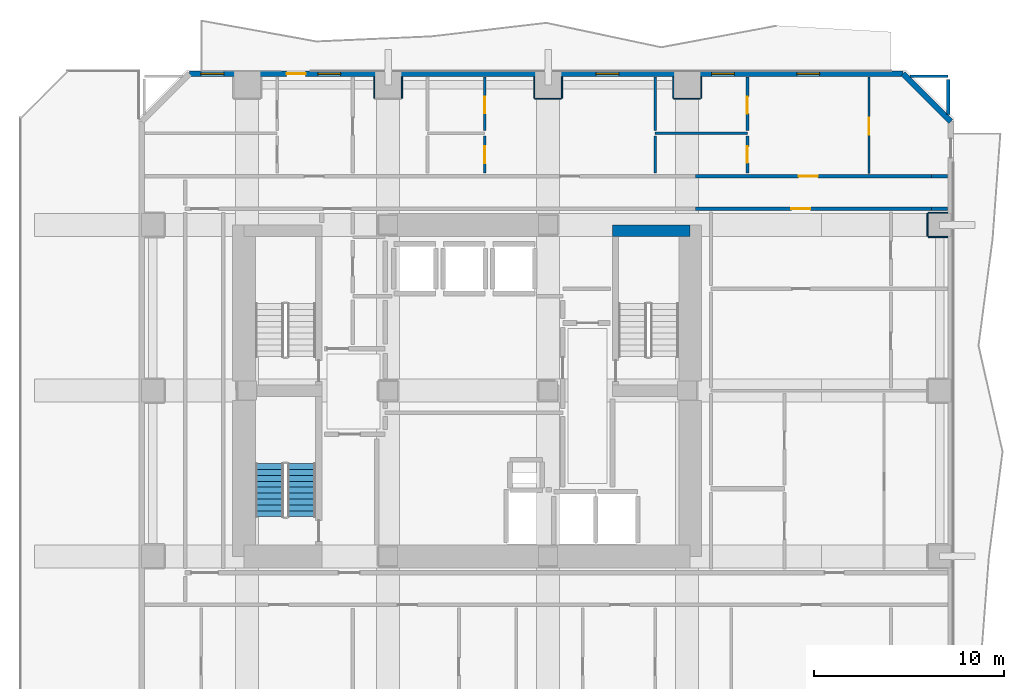
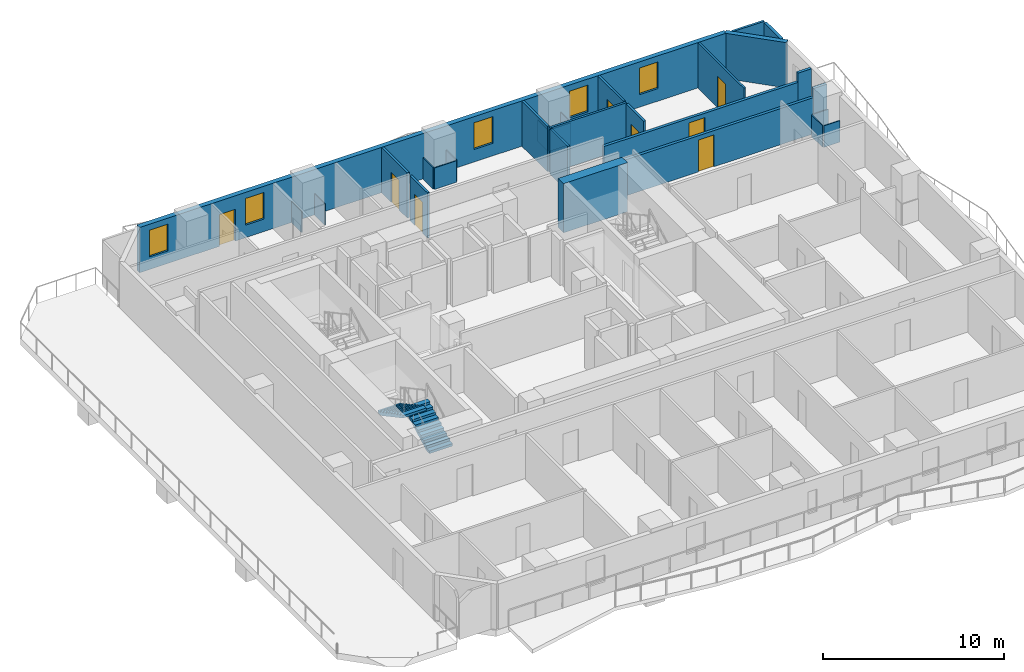
# One storey, part 6 of 10: 28 walls, 8 doors, 5 windows, 2 stair flights, 13 openings, 1 element without a shape of its own.
"""IFC4 building model written with IfcOpenShell, lengths in metres."""

import ifcopenshell
import ifcopenshell.guid

model = None  # the IFC model being written
_history = None  # IfcOwnerHistory: only IFC2X3 demands one
_inside = {}  # id of a spatial element -> (the spatial element, [elements in it])
_under = {}  # id of a project, library or spatial element -> (it, [spatial elements below it])
_declared = {}  # id of a project -> (the project, [libraries it declares])
_typed = {}  # id of a type object -> (the type object, [elements of that type])
_made_of = {}  # id of a material, layer set ... -> (it, [elements and type objects made of it])


def new_model(schema):
    """Start an empty IFC model of exactly this schema.

    Asked for "IFC4X3", IfcOpenShell would pick the latest addendum, in which some entities
    have other attributes; the version numbers below select the first issue.
    IFC2X3 requires an IfcOwnerHistory on every rooted entity: one is made here for all.
    """
    global model, _history
    if schema == "IFC4X3":
        model = ifcopenshell.file(schema_version=(4, 3, 0, 0))
    else:
        model = ifcopenshell.file(schema=schema)
    _inside.clear()
    _under.clear()
    _declared.clear()
    _typed.clear()
    _made_of.clear()
    _history = None
    if model.schema == "IFC2X3":
        org = make("IfcOrganization", Name="unknown")
        user = make(
            "IfcPersonAndOrganization",
            ThePerson=make("IfcPerson", FamilyName="unknown"),
            TheOrganization=org,
        )
        app = make(
            "IfcApplication",
            ApplicationDeveloper=org,
            Version="unknown",
            ApplicationFullName="unknown",
            ApplicationIdentifier="unknown",
        )
        _history = make(
            "IfcOwnerHistory",
            OwningUser=user,
            OwningApplication=app,
            ChangeAction="ADDED",
            CreationDate=0,
        )
    return model


def make(cls, **values):
    """One entity of the class cls with the attributes given. An attribute that is None is left unset."""
    return model.create_entity(
        cls, **{name: value for name, value in values.items() if value is not None}
    )


def rooted(cls, **values):
    """An entity with a GlobalId (a new one), such as an element, a storey or a relation."""
    return make(cls, GlobalId=ifcopenshell.guid.new(), OwnerHistory=_history, **values)


def si_unit(unit_type, name, prefix=None):
    """IfcSIUnit, for example si_unit("LENGTHUNIT", "METRE", prefix="MILLI")."""
    return make("IfcSIUnit", UnitType=unit_type, Prefix=prefix, Name=name)


def assignment(units):
    """IfcUnitAssignment: the units of a project."""
    return None if units is None else make("IfcUnitAssignment", Units=units)


def point(xyz):
    """IfcCartesianPoint."""
    return None if xyz is None else make("IfcCartesianPoint", Coordinates=xyz)


def direction(xyz):
    """IfcDirection."""
    return None if xyz is None else make("IfcDirection", DirectionRatios=xyz)


def frame(location, z_axis=None, x_axis=None):
    """IfcAxis2Placement3D, a coordinate frame: its origin and axes. An axis left out is left unset."""
    return make(
        "IfcAxis2Placement3D",
        Location=point(location),
        Axis=direction(z_axis),
        RefDirection=direction(x_axis),
    )


def frame_2d(location, x_axis=None):
    """IfcAxis2Placement2D, a coordinate frame in the plane: its origin and x axis."""
    return make(
        "IfcAxis2Placement2D", Location=point(location), RefDirection=direction(x_axis)
    )


def origin():
    """The frame at (0, 0, 0) with its axes left unset."""
    return frame((0.0, 0.0, 0.0))


def place(relative_to, where):
    """IfcLocalPlacement: puts the frame where relative to a parent placement (None: the world)."""
    return make(
        "IfcLocalPlacement", PlacementRelTo=relative_to, RelativePlacement=where
    )


def context(
    kind, dimensions, precision=None, world=None, true_north=None, identifier=None
):
    """IfcGeometricRepresentationContext, for example the 3D "Model" context."""
    return make(
        "IfcGeometricRepresentationContext",
        ContextIdentifier=identifier,
        ContextType=kind,
        CoordinateSpaceDimension=dimensions,
        Precision=precision,
        WorldCoordinateSystem=world,
        TrueNorth=true_north,
    )


def subcontext(parent, identifier, kind, view, scale=None):
    """IfcGeometricRepresentationSubContext, for example "Body" below "Model"."""
    return make(
        "IfcGeometricRepresentationSubContext",
        ContextIdentifier=identifier,
        ContextType=kind,
        ParentContext=parent,
        TargetScale=scale,
        TargetView=view,
    )


def project(units=None, contexts=None):
    """IfcProject with its units and contexts."""
    return rooted(
        "IfcProject",
        Name="project",
        RepresentationContexts=contexts,
        UnitsInContext=assignment(units),
    )


def spatial(cls, under=None, at=None, **own):
    """A site, building, storey or space (cls), placed at a placement, below another one or the project."""
    s = rooted(cls, ObjectPlacement=at, **own)
    if under is not None:
        _under.setdefault(under.id(), (under, []))[1].append(s)
    return s


def polyline(points):
    """IfcPolyline through the points."""
    return make("IfcPolyline", Points=[point(p) for p in points])


def profile(cls, at=None, kind="AREA", **sizes):
    """A parametric profile (cls). Its sizes go by their IFC names, for example OverallWidth=200.0."""
    return make(cls, ProfileType=kind, Position=at, **sizes)


def rectangle(**sizes):
    """IfcRectangleProfileDef."""
    return profile("IfcRectangleProfileDef", **sizes)


def outline(outer, holes=None, kind="AREA"):
    """IfcArbitraryClosedProfileDef: a profile drawn as a closed curve; with holes, ...WithVoids."""
    if holes is None:
        return make("IfcArbitraryClosedProfileDef", ProfileType=kind, OuterCurve=outer)
    return make(
        "IfcArbitraryProfileDefWithVoids",
        ProfileType=kind,
        OuterCurve=outer,
        InnerCurves=holes,
    )


def extrude(swept, where, along, depth):
    """IfcExtrudedAreaSolid: the profile swept, set in the frame where, extruded along a direction by depth."""
    return make(
        "IfcExtrudedAreaSolid",
        SweptArea=swept,
        Position=where,
        ExtrudedDirection=direction(along),
        Depth=depth,
    )


def shape(context_of_items, identifier, shape_type, items):
    """IfcShapeRepresentation: the items that make up one representation, for example the "Body"."""
    return make(
        "IfcShapeRepresentation",
        ContextOfItems=context_of_items,
        RepresentationIdentifier=identifier,
        RepresentationType=shape_type,
        Items=items,
    )


def material(Name=None, Category=None):
    """IfcMaterial."""
    return make("IfcMaterial", Name=Name, Category=Category)


def layer(
    of_material, thickness, ventilated=None, Name=None, Category=None, Priority=None
):
    """IfcMaterialLayer: one layer of a wall or slab, of a material (None: an air gap)."""
    return make(
        "IfcMaterialLayer",
        Material=of_material,
        LayerThickness=thickness,
        IsVentilated=ventilated,
        Name=Name,
        Category=Category,
        Priority=Priority,
    )


def layer_set(layers, Name=None):
    """IfcMaterialLayerSet."""
    return make("IfcMaterialLayerSet", MaterialLayers=layers, LayerSetName=Name)


def made_of(thing, what):
    """Note that an element or type object is made of a material, layer set ...; save() writes the relation."""
    if what is not None:
        _made_of.setdefault(what.id(), (what, []))[1].append(thing)
    return thing


def type_object(cls, material=None, **own):
    """A type object (cls), such as IfcWallType, which elements share."""
    return made_of(rooted(cls, **own), material)


def element(
    cls,
    number,
    at=None,
    inside=None,
    cuts=None,
    type_object=None,
    material=None,
    context=None,
    identifier="Body",
    shape_type=None,
    held_by="IfcProductDefinitionShape",
    body=None,
    shapes=None,
    **own,
):
    """One element of the class cls, such as IfcWall. Its Tag is "e" and its number.

    at: its placement. inside: the storey or other place that contains it. cuts: it is an
    opening in that element (IfcRelVoidsElement). A single representation is given by context,
    identifier, shape_type and body (its items); several are given by shapes. held_by: the class
    of the entity that holds the representations. save() writes the other relations.
    """
    e = rooted(cls, Tag="e%d" % number, ObjectPlacement=at, **own)
    if body is not None:
        shapes = [shape(context, identifier, shape_type, body)]
    if shapes is not None:
        e.Representation = make(held_by, Representations=shapes)
    if inside is not None:
        _inside.setdefault(inside.id(), (inside, []))[1].append(e)
    if cuts is not None:
        rooted(
            "IfcRelVoidsElement", RelatingBuildingElement=cuts, RelatedOpeningElement=e
        )
    if type_object is not None:
        _typed.setdefault(type_object.id(), (type_object, []))[1].append(e)
    return made_of(e, material)


def fill(opening, filler):
    """IfcRelFillsElement: the door or window that sits in an opening."""
    return rooted(
        "IfcRelFillsElement",
        RelatingOpeningElement=opening,
        RelatedBuildingElement=filler,
    )


def aggregate(whole, parts):
    """IfcRelAggregates: a whole, such as a stair, and the parts it consists of."""
    return rooted("IfcRelAggregates", RelatingObject=whole, RelatedObjects=parts)


def save(model, path):
    """Write the relations noted so far, then the file.

    IfcRelAggregates (storeys below a building ...), IfcRelContainedInSpatialStructure (elements
    in a storey), IfcRelDefinesByType, IfcRelAssociatesMaterial and IfcRelDeclares: one each for
    every whole, place, type object, material and project.
    """
    for whole, parts in _under.values():
        aggregate(whole, parts)
    for where, things in _inside.values():
        rooted(
            "IfcRelContainedInSpatialStructure",
            RelatedElements=things,
            RelatingStructure=where,
        )
    for kind, things in _typed.values():
        rooted("IfcRelDefinesByType", RelatedObjects=things, RelatingType=kind)
    for what, things in _made_of.values():
        rooted("IfcRelAssociatesMaterial", RelatedObjects=things, RelatingMaterial=what)
    for by, libraries in _declared.values():
        rooted("IfcRelDeclares", RelatingContext=by, RelatedDefinitions=libraries)
    model.write(path)


model = new_model("IFC4")

# Units and contexts
model_context = context("Model", 3, precision=1e-05, world=origin(), true_north=direction((0.0, 1.0)))
body_context = subcontext(model_context, "Body", "Model", "MODEL_VIEW")
ifc_project = project(units=[si_unit("LENGTHUNIT", "METRE"), si_unit("AREAUNIT", "SQUARE_METRE"), si_unit("VOLUMEUNIT", "CUBIC_METRE"), si_unit("PLANEANGLEUNIT", "RADIAN"), si_unit("MASSUNIT", "GRAM", prefix="KILO")], contexts=[model_context])

# Site, building, storey
site_placement = place(None, origin())
site = spatial("IfcSite", under=ifc_project, at=site_placement, CompositionType="ELEMENT")
building_placement = place(site_placement, origin())
building = spatial("IfcBuilding", under=site, at=building_placement, Name="Solanera Arch Residences", CompositionType="ELEMENT")
storey_placement = place(building_placement, frame((0.0, 0.0, 41.919921875)))
storey = spatial("IfcBuildingStorey", under=building, at=storey_placement, Name="L11", CompositionType="ELEMENT", Elevation=41.919921875)

# Walls
ifc_material_1 = material(Name="Fire-Rated Gypsum Stud Partition", Category="gypsum")
ifc_layer_1 = layer(ifc_material_1, 0.06005859375)
ifc_layer_set_1 = layer_set([ifc_layer_1], Name="Fire-Rated Gypsum Stud Partition")
wall_type_1 = type_object("IfcWallType", Name="Column Acoustic Furring Wall 60", PredefinedType="PARTITIONING", material=ifc_layer_set_1)
for number, where, z_axis, x_axis, name in (
    (1, (20.068115234375, 46.050048828125, 0.0), (0.0, 0.0, 1.0), (0.0, 1.0, 0.0), "L11 Column Furring 12W"),
    (2, (21.531982421875, 46.050048828125, 0.0), (0.0, 0.0, 1.0), (0.0, 1.0, 0.0), "L11 Column Furring 12E"),
):
    element("IfcWall", number, at=place(storey_placement, frame(where, z_axis=z_axis, x_axis=x_axis)), inside=storey, type_object=wall_type_1, Name=name, PredefinedType="PARTITIONING", context=body_context, shape_type="SweptSolid", body=[
        extrude(rectangle(XDim=1.119873046875, YDim=0.06005859375, at=frame_2d((0.56005859375, 0.0))), origin(), (0.0, 0.0, 1.0), 1.4501953125),
    ])
wall_1_placement = place(storey_placement, frame((28.5, 46.01806640625, 0.0), z_axis=(0.0, 0.0, 1.0), x_axis=(1.0, 0.0, 0.0)))
element("IfcWall", 3, at=wall_1_placement, inside=storey, type_object=wall_type_1, Name="L11 Column Furring 14S", PredefinedType="PARTITIONING", context=body_context, shape_type="SweptSolid", body=[
    extrude(rectangle(XDim=1.39990234375, YDim=0.06005859375, at=frame_2d((0.699951171875, 0.0))), origin(), (0.0, 0.0, 1.0), 1.4501953125),
])
for number, where, z_axis, x_axis, name in (
    (4, (28.468017578125, 46.050048828125, 0.0), (0.0, 0.0, 1.0), (0.0, 1.0, 0.0), "L11 Column Furring 14W"),
    (5, (29.931884765625, 46.050048828125, 0.0), (0.0, 0.0, 1.0), (0.0, 1.0, 0.0), "L11 Column Furring 14E"),
):
    element("IfcWall", number, at=place(storey_placement, frame(where, z_axis=z_axis, x_axis=x_axis)), inside=storey, type_object=wall_type_1, Name=name, PredefinedType="PARTITIONING", context=body_context, shape_type="SweptSolid", body=[
        extrude(rectangle(XDim=1.119873046875, YDim=0.06005859375, at=frame_2d((0.56005859375, 0.0))), origin(), (0.0, 0.0, 1.0), 1.4501953125),
    ])
wall_2_placement = place(storey_placement, frame((35.800048828125, 46.01806640625, 0.0), z_axis=(0.0, 0.0, 1.0), x_axis=(1.0, 0.0, 0.0)))
element("IfcWall", 6, at=wall_2_placement, inside=storey, type_object=wall_type_1, Name="L11 Column Furring 16S", PredefinedType="PARTITIONING", context=body_context, shape_type="SweptSolid", body=[
    extrude(rectangle(XDim=1.39990234375, YDim=0.06005859375, at=frame_2d((0.699951171875, 0.0))), origin(), (0.0, 0.0, 1.0), 1.4501953125),
])
for number, where, z_axis, x_axis, name in (
    (7, (35.76806640625, 46.050048828125, 0.0), (0.0, 0.0, 1.0), (0.0, 1.0, 0.0), "L11 Column Furring 16W"),
    (8, (37.23193359375, 46.050048828125, 0.0), (0.0, 0.0, 1.0), (0.0, 1.0, 0.0), "L11 Column Furring 16E"),
):
    element("IfcWall", number, at=place(storey_placement, frame(where, z_axis=z_axis, x_axis=x_axis)), inside=storey, type_object=wall_type_1, Name=name, PredefinedType="PARTITIONING", context=body_context, shape_type="SweptSolid", body=[
        extrude(rectangle(XDim=1.119873046875, YDim=0.06005859375, at=frame_2d((0.56005859375, 0.0))), origin(), (0.0, 0.0, 1.0), 1.4501953125),
    ])
for number, where, z_axis, x_axis, name in (
    (9, (49.14990234375, 38.76806640625, 0.0), (0.0, 0.0, 1.0), (1.0, 0.0, 0.0), "L11 Column Furring 22S"),
    (10, (49.14990234375, 40.031982421875, 0.0), (0.0, 0.0, 1.0), (1.0, 0.0, 0.0), "L11 Column Furring 22N"),
):
    element("IfcWall", number, at=place(storey_placement, frame(where, z_axis=z_axis, x_axis=x_axis)), inside=storey, type_object=wall_type_1, Name=name, PredefinedType="PARTITIONING", context=body_context, shape_type="SweptSolid", body=[
        extrude(rectangle(XDim=1.02001953125, YDim=0.06005859375, at=frame_2d((0.510009765625, 0.0))), origin(), (0.0, 0.0, 1.0), 1.4501953125),
    ])
wall_3_placement = place(storey_placement, frame((49.117919921875, 38.800048828125, 0.0), z_axis=(0.0, 0.0, 1.0), x_axis=(0.0, 1.0, 0.0)))
element("IfcWall", 11, at=wall_3_placement, inside=storey, type_object=wall_type_1, Name="L11 Column Furring 22W", PredefinedType="PARTITIONING", context=body_context, shape_type="SweptSolid", body=[
    extrude(rectangle(XDim=1.199951171875, YDim=0.06005859375, at=frame_2d((0.60009765625, 0.0))), origin(), (0.0, 0.0, 1.0), 1.4501953125),
])
ifc_material_2 = material(Name="Concrete C40/50 (f'c = 45 MPa)", Category="concrete")
ifc_layer_2 = layer(ifc_material_2, 0.60009765625)
ifc_layer_set_2 = layer_set([ifc_layer_2], Name="Concrete C40/50 (f'c = 45 MPa)")
wall_type_2 = type_object("IfcWallType", Name="Core Shear Wall CW-600", PredefinedType="SHEAR", material=ifc_layer_set_2)
wall_4_placement = place(storey_placement, frame((32.580078125, 39.10009765625, 0.0), z_axis=(0.0, 0.0, 1.0), x_axis=(1.0, 0.0, 0.0)))
element("IfcWall", 12, at=wall_4_placement, inside=storey, type_object=wall_type_2, Name="L11 North-East Core Shear Wall", PredefinedType="SHEAR", context=body_context, shape_type="SweptSolid", body=[
    extrude(rectangle(XDim=4.079833984375, YDim=0.60009765625, at=frame_2d((2.0400390625, 0.0))), origin(), (0.0, 0.0, 1.0), 3.320068359375),
])

# Wall, opening, door
ifc_material_3 = material(Name="Autoclaved Aerated Concrete Blockwork", Category="masonry")
ifc_layer_3 = layer(ifc_material_3, 0.179931640625)
ifc_layer_set_3 = layer_set([ifc_layer_3], Name="Autoclaved Aerated Concrete Blockwork")
wall_type_3 = type_object("IfcWallType", Name="Corridor Fire Partition 180", PredefinedType="PARTITIONING", material=ifc_layer_set_3)
wall_5_placement = place(storey_placement, frame((36.931884765625, 40.25, 0.0), z_axis=(0.0, 0.0, 1.0), x_axis=(1.0, 0.0, 0.0)))
wall_5 = element("IfcWall", 13, at=wall_5_placement, inside=storey, type_object=wall_type_3, Name="L11 Interior Partition H12 2", PredefinedType="PARTITIONING", context=body_context, shape_type="SweptSolid", body=[
    extrude(rectangle(XDim=12.38623046875, YDim=0.179931640625, at=frame_2d((6.193115234375, 0.0))), origin(), (0.0, 0.0, 1.0), 2.445068359375),
])
opening_1_placement = place(wall_5_placement, frame((5.04296875, 0.0, 0.0)))
opening_1 = element("IfcOpeningElement", 14, at=opening_1_placement, cuts=wall_5, Name="Opening DI-01", PredefinedType="OPENING", context=body_context, shape_type="SweptSolid", body=[
    extrude(rectangle(XDim=1.0, YDim=2.14990234375, at=frame_2d((0.5, 1.074951171875))), frame((0.0, 0.10009765625, 0.0), z_axis=(0.0, -1.0, 0.0), x_axis=(1.0, 0.0, 0.0)), (0.0, 0.0, 1.0), 0.1999),
])
ifc_material_4 = material(Name="Fire-Rated Architectural Hardwood", Category="wood")
door_type_1 = type_object("IfcDoorType", Name="Unit Entrance Fire Door DI-01", OperationType="NOTDEFINED", PredefinedType="DOOR", material=ifc_material_4)
door_1_placement = place(opening_1_placement, origin())
door_1 = element("IfcDoor", 15, at=door_1_placement, inside=storey, type_object=door_type_1, Name="DR-L11-IN-044", OperationType="SINGLE_SWING_RIGHT", OverallHeight=2.14990234375, OverallWidth=1.0, PredefinedType="DOOR", context=body_context, shape_type="SweptSolid", body=[
    extrude(rectangle(XDim=1.0, YDim=2.14990234375, at=frame_2d((0.5, 1.074951171875))), frame((0.0, 0.02490234375, 0.0), z_axis=(0.0, -1.0, 0.0), x_axis=(1.0, 0.0, 0.0)), (0.0, 0.0, 1.0), 0.050048828125),
])
fill(opening_1, door_1)

# Wall
wall_6_placement = place(storey_placement, frame((49.318115234375, 40.25, 0.0), z_axis=(0.0, 0.0, 1.0), x_axis=(1.0, 0.0, 0.0)))
element("IfcWall", 16, at=wall_6_placement, inside=storey, type_object=wall_type_3, Name="L11 Interior Partition H12 3", PredefinedType="PARTITIONING", context=body_context, shape_type="SweptSolid", body=[
    extrude(rectangle(XDim=0.85498046875, YDim=0.179931640625, at=frame_2d((0.427490234375, 0.0))), origin(), (0.0, 0.0, 1.0), 3.06005859375),
])

# Wall, opening, door
wall_7_placement = place(storey_placement, frame((36.931884765625, 41.949951171875, 0.0), z_axis=(0.0, 0.0, 1.0), x_axis=(1.0, 0.0, 0.0)))
wall_7 = element("IfcWall", 17, at=wall_7_placement, inside=storey, type_object=wall_type_3, Name="L11 Interior Partition H13 2", PredefinedType="PARTITIONING", context=body_context, shape_type="SweptSolid", body=[
    extrude(rectangle(XDim=12.38623046875, YDim=0.179931640625, at=frame_2d((6.193115234375, 0.0))), origin(), (0.0, 0.0, 1.0), 2.445068359375),
])
opening_2_placement = place(wall_7_placement, frame((5.425048828125, 0.0, 0.0)))
opening_2 = element("IfcOpeningElement", 18, at=opening_2_placement, cuts=wall_7, Name="Opening DI-01", PredefinedType="OPENING", context=body_context, shape_type="SweptSolid", body=[
    extrude(rectangle(XDim=1.0, YDim=2.14990234375, at=frame_2d((0.5, 1.074951171875))), frame((0.0, 0.10009765625, 0.0), z_axis=(0.0, -1.0, 0.0), x_axis=(1.0, 0.0, 0.0)), (0.0, 0.0, 1.0), 0.1999),
])
door_2_placement = place(opening_2_placement, origin())
door_2 = element("IfcDoor", 19, at=door_2_placement, inside=storey, type_object=door_type_1, Name="DR-L11-IN-036", OperationType="SINGLE_SWING_RIGHT", OverallHeight=2.14990234375, OverallWidth=1.0, PredefinedType="DOOR", context=body_context, shape_type="SweptSolid", body=[
    extrude(rectangle(XDim=1.0, YDim=2.14990234375, at=frame_2d((0.5, 1.074951171875))), frame((0.0, 0.02490234375, 0.0), z_axis=(0.0, -1.0, 0.0), x_axis=(1.0, 0.0, 0.0)), (0.0, 0.0, 1.0), 0.050048828125),
])
fill(opening_2, door_2)

# Walls
wall_8_placement = place(storey_placement, frame((49.318115234375, 41.949951171875, 0.0), z_axis=(0.0, 0.0, 1.0), x_axis=(1.0, 0.0, 0.0)))
element("IfcWall", 20, at=wall_8_placement, inside=storey, type_object=wall_type_3, Name="L11 Interior Partition H13 3", PredefinedType="PARTITIONING", context=body_context, shape_type="SweptSolid", body=[
    extrude(rectangle(XDim=0.85498046875, YDim=0.179931640625, at=frame_2d((0.427490234375, 0.0))), origin(), (0.0, 0.0, 1.0), 3.06005859375),
])
wall_9_placement = place(storey_placement, frame((50.199951171875, 45.198974609375, 0.0), z_axis=(0.0, 0.0, 1.0), x_axis=(0.0, 1.0, 0.0)))
element("IfcWall", 21, at=wall_9_placement, inside=storey, type_object=wall_type_3, Name="L11 Interior Partition V11 2", PredefinedType="PARTITIONING", context=body_context, shape_type="SweptSolid", body=[
    extrude(rectangle(XDim=1.8330078125, YDim=0.179931640625, at=frame_2d((0.91650390625, 0.0))), origin(), (0.0, 0.0, 1.0), 3.06005859375),
])

# Wall, openings, door, windows
ifc_material_5 = material(Name="Precast Concrete C35/45", Category="concrete")
ifc_layer_4 = layer(ifc_material_5, 0.300048828125)
ifc_layer_set_4 = layer_set([ifc_layer_4], Name="Precast Concrete C35/45")
wall_type_4 = type_object("IfcWallType", Name="Exterior Wall Precast Masonry-Frame 300", PredefinedType="STANDARD", material=ifc_layer_set_4)
wall_10_placement = place(storey_placement, frame((10.364990234375, 47.3349609375, 0.0), z_axis=(0.0, 0.0, 1.0), x_axis=(1.0, 0.0, 0.0)))
wall_10 = element("IfcWall", 22, at=wall_10_placement, inside=storey, type_object=wall_type_4, Name="L11 Tower Exterior Precast Masonry-Frame Wall N", PredefinedType="STANDARD", context=body_context, shape_type="SweptSolid", body=[
    extrude(rectangle(XDim=37.469970703125, YDim=0.300048828125, at=frame_2d((18.73486328125, 0.0))), origin(), (0.0, 0.0, 1.0), 3.06005859375),
])
opening_3_placement = place(wall_10_placement, frame((5.10302734375, 0.0, 0.0)))
opening_3 = element("IfcOpeningElement", 23, at=opening_3_placement, cuts=wall_10, Name="Opening DB-01", PredefinedType="OPENING", context=body_context, shape_type="SweptSolid", body=[
    extrude(rectangle(XDim=1.0, YDim=2.14990234375, at=frame_2d((0.5, 1.074951171875))), frame((0.0, 0.159912109375, 0.0), z_axis=(0.0, -1.0, 0.0), x_axis=(1.0, 0.0, 0.0)), (0.0, 0.0, 1.0), 0.32),
])
opening_4_placement = place(wall_10_placement, frame((6.7470703125, 0.0, 0.85009765625)))
opening_4 = element("IfcOpeningElement", 24, at=opening_4_placement, cuts=wall_10, Name="Opening W-01", PredefinedType="OPENING", context=body_context, shape_type="SweptSolid", body=[
    extrude(rectangle(XDim=1.199951171875, YDim=1.800048828125, at=frame_2d((0.60009765625, 0.89990234375))), frame((0.0, 0.159912109375, 0.0), z_axis=(0.0, -1.0, 0.0), x_axis=(1.0, 0.0, 0.0)), (0.0, 0.0, 1.0), 0.32),
])
opening_5_placement = place(wall_10_placement, frame((0.612060546875, 0.0, 0.85009765625)))
opening_5 = element("IfcOpeningElement", 25, at=opening_5_placement, cuts=wall_10, Name="Opening W-01", PredefinedType="OPENING", context=body_context, shape_type="SweptSolid", body=[
    extrude(rectangle(XDim=1.199951171875, YDim=1.800048828125, at=frame_2d((0.60009765625, 0.89990234375))), frame((0.0, 0.159912109375, 0.0), z_axis=(0.0, -1.0, 0.0), x_axis=(1.0, 0.0, 0.0)), (0.0, 0.0, 1.0), 0.32),
])
opening_6_placement = place(wall_10_placement, frame((21.344970703125, 0.0, 0.85009765625)))
opening_6 = element("IfcOpeningElement", 26, at=opening_6_placement, cuts=wall_10, Name="Opening W-01", PredefinedType="OPENING", context=body_context, shape_type="SweptSolid", body=[
    extrude(rectangle(XDim=1.199951171875, YDim=1.800048828125, at=frame_2d((0.60009765625, 0.89990234375))), frame((0.0, 0.159912109375, 0.0), z_axis=(0.0, -1.0, 0.0), x_axis=(1.0, 0.0, 0.0)), (0.0, 0.0, 1.0), 0.32),
])
opening_7_placement = place(wall_10_placement, frame((31.89208984375, 0.0, 0.85009765625)))
opening_7 = element("IfcOpeningElement", 27, at=opening_7_placement, cuts=wall_10, Name="Opening W-01", PredefinedType="OPENING", context=body_context, shape_type="SweptSolid", body=[
    extrude(rectangle(XDim=1.199951171875, YDim=1.800048828125, at=frame_2d((0.60009765625, 0.89990234375))), frame((0.0, 0.159912109375, 0.0), z_axis=(0.0, -1.0, 0.0), x_axis=(1.0, 0.0, 0.0)), (0.0, 0.0, 1.0), 0.32),
])
opening_8_placement = place(wall_10_placement, frame((27.41796875, 0.0, 0.85009765625)))
opening_8 = element("IfcOpeningElement", 28, at=opening_8_placement, cuts=wall_10, Name="Opening W-01", PredefinedType="OPENING", context=body_context, shape_type="SweptSolid", body=[
    extrude(rectangle(XDim=1.199951171875, YDim=1.800048828125, at=frame_2d((0.60009765625, 0.89990234375))), frame((0.0, 0.159912109375, 0.0), z_axis=(0.0, -1.0, 0.0), x_axis=(1.0, 0.0, 0.0)), (0.0, 0.0, 1.0), 0.32),
])
ifc_material_6 = material(Name="Anodised Aluminium Alloy 6063-T6", Category="aluminium")
door_type_2 = type_object("IfcDoorType", Name="Glazed Balcony Swing Door DB-01", OperationType="NOTDEFINED", PredefinedType="DOOR", material=ifc_material_6)
door_3_placement = place(opening_3_placement, origin())
door_3 = element("IfcDoor", 29, at=door_3_placement, inside=storey, type_object=door_type_2, Name="DR-L11-OUT-03", OperationType="SINGLE_SWING_LEFT", OverallHeight=2.14990234375, OverallWidth=1.0, PredefinedType="DOOR", context=body_context, shape_type="SweptSolid", body=[
    extrude(rectangle(XDim=1.0, YDim=2.14990234375, at=frame_2d((0.5, 1.074951171875))), frame((0.0, 0.02490234375, 0.0), z_axis=(0.0, -1.0, 0.0), x_axis=(1.0, 0.0, 0.0)), (0.0, 0.0, 1.0), 0.050048828125),
])
fill(opening_3, door_3)
ifc_material_7 = material(Name="Double Glazed Low-E Laminated Glass", Category="glass")
window_type = type_object("IfcWindowType", Name="Punched Window W-01", PartitioningType="SINGLE_PANEL", PredefinedType="WINDOW", material=ifc_material_7)
window_1_placement = place(opening_4_placement, origin())
window_1 = element("IfcWindow", 30, at=window_1_placement, inside=storey, type_object=window_type, Name="L11 1105-LIV Punched Window", OverallHeight=1.800048828125, OverallWidth=1.199951171875, PartitioningType="SINGLE_PANEL", PredefinedType="WINDOW", context=body_context, shape_type="SweptSolid", body=[
    extrude(rectangle(XDim=1.199951171875, YDim=1.800048828125, at=frame_2d((0.60009765625, 0.89990234375))), frame((0.0, 0.030029296875, 0.0), z_axis=(0.0, -1.0, 0.0), x_axis=(1.0, 0.0, 0.0)), (0.0, 0.0, 1.0), 0.06005859375),
])
fill(opening_4, window_1)
window_2_placement = place(opening_5_placement, origin())
window_2 = element("IfcWindow", 31, at=window_2_placement, inside=storey, type_object=window_type, Name="L11 1105-BR1 Punched Window", OverallHeight=1.800048828125, OverallWidth=1.199951171875, PartitioningType="SINGLE_PANEL", PredefinedType="WINDOW", context=body_context, shape_type="SweptSolid", body=[
    extrude(rectangle(XDim=1.199951171875, YDim=1.800048828125, at=frame_2d((0.60009765625, 0.89990234375))), frame((0.0, 0.030029296875, 0.0), z_axis=(0.0, -1.0, 0.0), x_axis=(1.0, 0.0, 0.0)), (0.0, 0.0, 1.0), 0.06005859375),
])
fill(opening_5, window_2)
window_3_placement = place(opening_6_placement, origin())
window_3 = element("IfcWindow", 32, at=window_3_placement, inside=storey, type_object=window_type, Name="L11 1106-LIV Punched Window", OverallHeight=1.800048828125, OverallWidth=1.199951171875, PartitioningType="SINGLE_PANEL", PredefinedType="WINDOW", context=body_context, shape_type="SweptSolid", body=[
    extrude(rectangle(XDim=1.199951171875, YDim=1.800048828125, at=frame_2d((0.60009765625, 0.89990234375))), frame((0.0, 0.030029296875, 0.0), z_axis=(0.0, -1.0, 0.0), x_axis=(1.0, 0.0, 0.0)), (0.0, 0.0, 1.0), 0.06005859375),
])
fill(opening_6, window_3)
window_4_placement = place(opening_7_placement, origin())
window_4 = element("IfcWindow", 33, at=window_4_placement, inside=storey, type_object=window_type, Name="L11 1107-LIV Punched Window", OverallHeight=1.800048828125, OverallWidth=1.199951171875, PartitioningType="SINGLE_PANEL", PredefinedType="WINDOW", context=body_context, shape_type="SweptSolid", body=[
    extrude(rectangle(XDim=1.199951171875, YDim=1.800048828125, at=frame_2d((0.60009765625, 0.89990234375))), frame((0.0, 0.030029296875, 0.0), z_axis=(0.0, -1.0, 0.0), x_axis=(1.0, 0.0, 0.0)), (0.0, 0.0, 1.0), 0.06005859375),
])
fill(opening_7, window_4)
window_5_placement = place(opening_8_placement, origin())
window_5 = element("IfcWindow", 34, at=window_5_placement, inside=storey, type_object=window_type, Name="L11 1107-BR1 Punched Window", OverallHeight=1.800048828125, OverallWidth=1.199951171875, PartitioningType="SINGLE_PANEL", PredefinedType="WINDOW", context=body_context, shape_type="SweptSolid", body=[
    extrude(rectangle(XDim=1.199951171875, YDim=1.800048828125, at=frame_2d((0.60009765625, 0.89990234375))), frame((0.0, 0.030029296875, 0.0), z_axis=(0.0, -1.0, 0.0), x_axis=(1.0, 0.0, 0.0)), (0.0, 0.0, 1.0), 0.06005859375),
])
fill(opening_8, window_5)

# Wall
wall_11_placement = place(storey_placement, frame((47.8349609375, 47.3349609375, 0.0), z_axis=(0.0, 0.0, 1.0), x_axis=(0.707106781187, -0.707106781187, 0.0)))
element("IfcWall", 35, at=wall_11_placement, inside=storey, type_object=wall_type_4, Name="L11 Tower Exterior Precast Masonry-Frame Wall CH3", PredefinedType="STANDARD", context=body_context, shape_type="SweptSolid", body=[
    extrude(rectangle(XDim=3.53564453125, YDim=0.300048828125, at=frame_2d((1.767822265625, 0.0))), origin(), (0.0, 0.0, 1.0), 3.06005859375),
])

# Wall, opening, door
ifc_material_8 = material(Name="Fire-Rated Gypsum Stud Partition", Category="gypsum")
ifc_layer_5 = layer(ifc_material_8, 0.1201171875)
ifc_layer_set_5 = layer_set([ifc_layer_5], Name="Fire-Rated Gypsum Stud Partition")
wall_type_5 = type_object("IfcWallType", Name="Unit Drywall Partition 120", PredefinedType="PARTITIONING", material=ifc_layer_set_5)
wall_12_placement = place(storey_placement, frame((46.047119140625, 42.10791015625, 0.0), z_axis=(0.0, 0.0, 1.0), x_axis=(0.0, 1.0, 0.0)))
wall_12 = element("IfcWall", 36, at=wall_12_placement, inside=storey, type_object=wall_type_5, Name="L11 Interior Partition V29", PredefinedType="PARTITIONING", context=body_context, shape_type="SweptSolid", body=[
    extrude(rectangle(XDim=5.065185546875, YDim=0.1201171875, at=frame_2d((2.53271484375, 0.0))), origin(), (0.0, 0.0, 1.0), 3.06005859375),
])
opening_9_placement = place(wall_12_placement, frame((2.01708984375, 0.0, 0.0)))
opening_9 = element("IfcOpeningElement", 37, at=opening_9_placement, cuts=wall_12, Name="Opening DI-02", PredefinedType="OPENING", context=body_context, shape_type="SweptSolid", body=[
    extrude(rectangle(XDim=0.89990234375, YDim=2.10009765625, at=frame_2d((0.449951171875, 1.050048828125))), frame((0.0, 0.070068359375, 0.0), z_axis=(0.0, -1.0, 0.0), x_axis=(1.0, 0.0, 0.0)), (0.0, 0.0, 1.0), 0.1401),
])
ifc_material_9 = material(Name="Fire-Rated Architectural Hardwood", Category="wood")
door_type_3 = type_object("IfcDoorType", Name="Suite Room Swing Door DI-02", OperationType="NOTDEFINED", PredefinedType="DOOR", material=ifc_material_9)
door_4_placement = place(opening_9_placement, origin())
door_4 = element("IfcDoor", 38, at=door_4_placement, inside=storey, type_object=door_type_3, Name="DR-L11-IN-039", OperationType="SINGLE_SWING_LEFT", OverallHeight=2.10009765625, OverallWidth=0.89990234375, PredefinedType="DOOR", context=body_context, shape_type="SweptSolid", body=[
    extrude(rectangle(XDim=0.89990234375, YDim=2.10009765625, at=frame_2d((0.449951171875, 1.050048828125))), frame((0.0, 0.02490234375, 0.0), z_axis=(0.0, -1.0, 0.0), x_axis=(1.0, 0.0, 0.0)), (0.0, 0.0, 1.0), 0.050048828125),
])
fill(opening_9, door_4)

# Walls
ifc_material_10 = material(Name="Autoclaved Aerated Concrete Blockwork", Category="masonry")
ifc_layer_6 = layer(ifc_material_10, 0.139892578125)
ifc_layer_set_6 = layer_set([ifc_layer_6], Name="Autoclaved Aerated Concrete Blockwork")
wall_type_6 = type_object("IfcWallType", Name="Wet-Room Partition 140", PredefinedType="PARTITIONING", material=ifc_layer_set_6)
wall_13_placement = place(storey_placement, frame((34.820068359375, 44.2080078125, 0.0), z_axis=(0.0, 0.0, 1.0), x_axis=(1.0, 0.0, 0.0)))
element("IfcWall", 39, at=wall_13_placement, inside=storey, type_object=wall_type_6, Name="L11 Interior Partition H22", PredefinedType="PARTITIONING", context=body_context, shape_type="SweptSolid", body=[
    extrude(rectangle(XDim=4.845947265625, YDim=0.139892578125, at=frame_2d((2.4228515625, 0.0))), origin(), (0.0, 0.0, 1.0), 3.06005859375),
])
wall_14_placement = place(storey_placement, frame((48.198974609375, 47.199951171875, 0.0), z_axis=(0.0, 0.0, 1.0), x_axis=(1.0, 0.0, 0.0)))
element("IfcWall", 40, at=wall_14_placement, inside=storey, type_object=wall_type_6, Name="L11 Interior Partition H23 2", PredefinedType="PARTITIONING", context=body_context, shape_type="SweptSolid", body=[
    extrude(rectangle(XDim=2.0009765625, YDim=0.139892578125, at=frame_2d((1.00048828125, 0.0))), origin(), (0.0, 0.0, 1.0), 3.06005859375),
])

# Wall, opening, door
wall_15_placement = place(storey_placement, frame((25.873046875, 42.117919921875, 0.0), z_axis=(0.0, 0.0, 1.0), x_axis=(0.0, 1.0, 0.0)))
wall_15 = element("IfcWall", 41, at=wall_15_placement, inside=storey, type_object=wall_type_6, Name="L11 Interior Partition V18 1", PredefinedType="PARTITIONING", context=body_context, shape_type="SweptSolid", body=[
    extrude(rectangle(XDim=1.942138671875, YDim=0.139892578125, at=frame_2d((0.97119140625, 0.0))), origin(), (0.0, 0.0, 1.0), 3.06005859375),
])
opening_10_placement = place(wall_15_placement, frame((0.52392578125, 0.0, 0.0)))
opening_10 = element("IfcOpeningElement", 42, at=opening_10_placement, cuts=wall_15, Name="Opening DI-02", PredefinedType="OPENING", context=body_context, shape_type="SweptSolid", body=[
    extrude(rectangle(XDim=0.89990234375, YDim=2.10009765625, at=frame_2d((0.449951171875, 1.050048828125))), frame((0.0, 0.079833984375, 0.0), z_axis=(0.0, -1.0, 0.0), x_axis=(1.0, 0.0, 0.0)), (0.0, 0.0, 1.0), 0.1599),
])
door_5_placement = place(opening_10_placement, origin())
door_5 = element("IfcDoor", 43, at=door_5_placement, inside=storey, type_object=door_type_3, Name="DR-L11-IN-034", OperationType="SINGLE_SWING_RIGHT", OverallHeight=2.10009765625, OverallWidth=0.89990234375, PredefinedType="DOOR", context=body_context, shape_type="SweptSolid", body=[
    extrude(rectangle(XDim=0.89990234375, YDim=2.10009765625, at=frame_2d((0.449951171875, 1.050048828125))), frame((0.0, 0.02490234375, 0.0), z_axis=(0.0, -1.0, 0.0), x_axis=(1.0, 0.0, 0.0)), (0.0, 0.0, 1.0), 0.050048828125),
])
fill(opening_10, door_5)

wall_16_placement = place(storey_placement, frame((25.873046875, 44.35595703125, 0.0), z_axis=(0.0, 0.0, 1.0), x_axis=(0.0, 1.0, 0.0)))
wall_16 = element("IfcWall", 44, at=wall_16_placement, inside=storey, type_object=wall_type_6, Name="L11 Interior Partition V18 2", PredefinedType="PARTITIONING", context=body_context, shape_type="SweptSolid", body=[
    extrude(rectangle(XDim=2.817138671875, YDim=0.139892578125, at=frame_2d((1.40869140625, 0.0))), origin(), (0.0, 0.0, 1.0), 3.06005859375),
])
opening_11_placement = place(wall_16_placement, frame((0.905029296875, 0.0, 0.0)))
opening_11 = element("IfcOpeningElement", 45, at=opening_11_placement, cuts=wall_16, Name="Opening DI-05", PredefinedType="OPENING", context=body_context, shape_type="SweptSolid", body=[
    extrude(rectangle(XDim=0.860107421875, YDim=2.02001953125, at=frame_2d((0.43017578125, 1.010009765625))), frame((0.0, 0.079833984375, 0.0), z_axis=(0.0, -1.0, 0.0), x_axis=(1.0, 0.0, 0.0)), (0.0, 0.0, 1.0), 0.1599),
])
ifc_material_11 = material(Name="Fire-Rated Architectural Hardwood", Category="wood")
door_type_4 = type_object("IfcDoorType", Name="Bathroom Swing Door DI-05", OperationType="NOTDEFINED", PredefinedType="DOOR", material=ifc_material_11)
door_6_placement = place(opening_11_placement, origin())
door_6 = element("IfcDoor", 46, at=door_6_placement, inside=storey, type_object=door_type_4, Name="DR-L11-IN-035", OperationType="SINGLE_SWING_LEFT", OverallHeight=2.02001953125, OverallWidth=0.860107421875, PredefinedType="DOOR", context=body_context, shape_type="SweptSolid", body=[
    extrude(rectangle(XDim=0.860107421875, YDim=2.02001953125, at=frame_2d((0.43017578125, 1.010009765625))), frame((0.0, 0.02490234375, 0.0), z_axis=(0.0, -1.0, 0.0), x_axis=(1.0, 0.0, 0.0)), (0.0, 0.0, 1.0), 0.050048828125),
])
fill(opening_11, door_6)

# Walls
wall_17_placement = place(storey_placement, frame((34.820068359375, 42.117919921875, 0.0), z_axis=(0.0, 0.0, 1.0), x_axis=(0.0, 1.0, 0.0)))
element("IfcWall", 47, at=wall_17_placement, inside=storey, type_object=wall_type_6, Name="L11 Interior Partition V22 1", PredefinedType="PARTITIONING", context=body_context, shape_type="SweptSolid", body=[
    extrude(rectangle(XDim=1.942138671875, YDim=0.139892578125, at=frame_2d((0.97119140625, 0.0))), origin(), (0.0, 0.0, 1.0), 3.06005859375),
])
wall_18_placement = place(storey_placement, frame((34.820068359375, 44.35595703125, 0.0), z_axis=(0.0, 0.0, 1.0), x_axis=(0.0, 1.0, 0.0)))
element("IfcWall", 48, at=wall_18_placement, inside=storey, type_object=wall_type_6, Name="L11 Interior Partition V22 2", PredefinedType="PARTITIONING", context=body_context, shape_type="SweptSolid", body=[
    extrude(rectangle(XDim=2.817138671875, YDim=0.139892578125, at=frame_2d((1.40869140625, 0.0))), origin(), (0.0, 0.0, 1.0), 3.06005859375),
])

# Wall, opening, door
wall_19_placement = place(storey_placement, frame((39.666015625, 42.117919921875, 0.0), z_axis=(0.0, 0.0, 1.0), x_axis=(0.0, 1.0, 0.0)))
wall_19 = element("IfcWall", 49, at=wall_19_placement, inside=storey, type_object=wall_type_6, Name="L11 Interior Partition V24 1", PredefinedType="PARTITIONING", context=body_context, shape_type="SweptSolid", body=[
    extrude(rectangle(XDim=1.942138671875, YDim=0.139892578125, at=frame_2d((0.97119140625, 0.0))), origin(), (0.0, 0.0, 1.0), 3.06005859375),
])
opening_12_placement = place(wall_19_placement, frame((0.5439453125, 0.0, 0.0)))
opening_12 = element("IfcOpeningElement", 50, at=opening_12_placement, cuts=wall_19, Name="Opening DI-05", PredefinedType="OPENING", context=body_context, shape_type="SweptSolid", body=[
    extrude(rectangle(XDim=0.860107421875, YDim=2.02001953125, at=frame_2d((0.43017578125, 1.010009765625))), frame((0.0, 0.079833984375, 0.0), z_axis=(0.0, -1.0, 0.0), x_axis=(1.0, 0.0, 0.0)), (0.0, 0.0, 1.0), 0.1599),
])
door_7_placement = place(opening_12_placement, origin())
door_7 = element("IfcDoor", 51, at=door_7_placement, inside=storey, type_object=door_type_4, Name="DR-L11-IN-037", OperationType="SINGLE_SWING_LEFT", OverallHeight=2.02001953125, OverallWidth=0.860107421875, PredefinedType="DOOR", context=body_context, shape_type="SweptSolid", body=[
    extrude(rectangle(XDim=0.860107421875, YDim=2.02001953125, at=frame_2d((0.43017578125, 1.010009765625))), frame((0.0, 0.02490234375, 0.0), z_axis=(0.0, -1.0, 0.0), x_axis=(1.0, 0.0, 0.0)), (0.0, 0.0, 1.0), 0.050048828125),
])
fill(opening_12, door_7)

wall_20_placement = place(storey_placement, frame((39.666015625, 44.35595703125, 0.0), z_axis=(0.0, 0.0, 1.0), x_axis=(0.0, 1.0, 0.0)))
wall_20 = element("IfcWall", 52, at=wall_20_placement, inside=storey, type_object=wall_type_6, Name="L11 Interior Partition V24 2", PredefinedType="PARTITIONING", context=body_context, shape_type="SweptSolid", body=[
    extrude(rectangle(XDim=2.817138671875, YDim=0.139892578125, at=frame_2d((1.40869140625, 0.0))), origin(), (0.0, 0.0, 1.0), 3.06005859375),
])
opening_13_placement = place(wall_20_placement, frame((0.885009765625, 0.0, 0.0)))
opening_13 = element("IfcOpeningElement", 53, at=opening_13_placement, cuts=wall_20, Name="Opening DI-03", PredefinedType="OPENING", context=body_context, shape_type="SweptSolid", body=[
    extrude(rectangle(XDim=0.89990234375, YDim=2.10009765625, at=frame_2d((0.449951171875, 1.050048828125))), frame((0.0, 0.079833984375, 0.0), z_axis=(0.0, -1.0, 0.0), x_axis=(1.0, 0.0, 0.0)), (0.0, 0.0, 1.0), 0.1599),
])
ifc_material_12 = material(Name="Fire-Rated Architectural Hardwood", Category="wood")
door_type_5 = type_object("IfcDoorType", Name="Bedroom Swing Door DI-03", OperationType="NOTDEFINED", PredefinedType="DOOR", material=ifc_material_12)
door_8_placement = place(opening_13_placement, origin())
door_8 = element("IfcDoor", 54, at=door_8_placement, inside=storey, type_object=door_type_5, Name="DR-L11-IN-038", OperationType="SINGLE_SWING_RIGHT", OverallHeight=2.10009765625, OverallWidth=0.89990234375, PredefinedType="DOOR", context=body_context, shape_type="SweptSolid", body=[
    extrude(rectangle(XDim=0.89990234375, YDim=2.10009765625, at=frame_2d((0.449951171875, 1.050048828125))), frame((0.0, 0.02490234375, 0.0), z_axis=(0.0, -1.0, 0.0), x_axis=(1.0, 0.0, 0.0)), (0.0, 0.0, 1.0), 0.050048828125),
])
fill(opening_13, door_8)

# Stair, stair flights
ifc_material_13 = material(Name="Concrete C40/50 (f'c = 45 MPa)", Category="concrete")
stair_type = type_object("IfcStairType", Name="Tower Dogleg Exit Stair 1480", PredefinedType="HALF_TURN_STAIR", material=ifc_material_13)
stair_placement = place(storey_placement, origin())
stair = element("IfcStair", 55, at=stair_placement, inside=storey, type_object=stair_type, Name="L11 Tower Core Exit Stair 3", PredefinedType="HALF_TURN_STAIR")
ifc_material_14 = material(Name="Concrete C40/50 (f'c = 45 MPa)", Category="concrete")
stair_flight_type = type_object("IfcStairFlightType", Name="Tower Precast Stair Flight 1480", PredefinedType="STRAIGHT", material=ifc_material_14)
stair_flight_1_placement = place(storey_placement, frame((16.260009765625, 24.080078125, 0.0), z_axis=(0.0, 0.0, 1.0), x_axis=(0.0, 1.0, 0.0)))
stair_flight_1 = element("IfcStairFlight", 56, at=stair_flight_1_placement, type_object=stair_flight_type, Name="ST-T3 flight 1", NumberOfRisers=10, NumberOfTreads=9, PredefinedType="STRAIGHT", RiserHeight=0.166, TreadLength=0.31, context=body_context, shape_type="SweptSolid", body=[
    extrude(outline(polyline([(0.0, 0.0), (0.0, 0.166015625), (0.31005859375, 0.166015625), (0.31005859375, 0.33203125), (0.6201171875, 0.33203125), (0.6201171875, 0.498046875), (0.929931640625, 0.498046875), (0.929931640625, 0.6640625), (1.239990234375, 0.6640625), (1.239990234375, 0.830078125), (1.550048828125, 0.830078125), (1.550048828125, 0.99609375), (1.860107421875, 0.99609375), (1.860107421875, 1.162109375), (2.169921875, 1.162109375), (2.169921875, 1.327880859375), (2.47998046875, 1.327880859375), (2.47998046875, 1.493896484375), (2.7900390625, 1.493896484375), (2.7900390625, 1.659912109375), (2.7900390625, 1.323974609375), (0.317626953125, 0.0), (0.0, 0.0)])), frame((0.0, 0.739990234375, 0.0), z_axis=(0.0, -1.0, 0.0), x_axis=(1.0, 0.0, 0.0)), (0.0, 0.0, 1.0), 1.47998046875),
])
stair_flight_2_placement = place(storey_placement, frame((14.580078125, 26.8701171875, 1.66015625), z_axis=(0.0, 0.0, 1.0), x_axis=(0.0, -1.0, 0.0)))
stair_flight_2 = element("IfcStairFlight", 57, at=stair_flight_2_placement, type_object=stair_flight_type, Name="ST-T3 flight 2", NumberOfRisers=10, NumberOfTreads=9, PredefinedType="STRAIGHT", RiserHeight=0.166, TreadLength=0.31, context=body_context, shape_type="SweptSolid", body=[
    extrude(outline(polyline([(0.0, 0.0), (0.0, 0.166015625), (0.31005859375, 0.166015625), (0.31005859375, 0.33203125), (0.6201171875, 0.33203125), (0.6201171875, 0.498046875), (0.929931640625, 0.498046875), (0.929931640625, 0.6640625), (1.239990234375, 0.6640625), (1.239990234375, 0.830078125), (1.550048828125, 0.830078125), (1.550048828125, 0.99609375), (1.860107421875, 0.99609375), (1.860107421875, 1.162109375), (2.169921875, 1.162109375), (2.169921875, 1.327880859375), (2.47998046875, 1.327880859375), (2.47998046875, 1.493896484375), (2.7900390625, 1.493896484375), (2.7900390625, 1.659912109375), (2.7900390625, 1.323974609375), (0.317626953125, 0.0), (0.0, 0.0)])), frame((0.0, 0.739990234375, 0.0), z_axis=(0.0, -1.0, 0.0), x_axis=(1.0, 0.0, 0.0)), (0.0, 0.0, 1.0), 1.47998046875),
])
aggregate(stair, [stair_flight_1, stair_flight_2])

save(model, "model.ifc")
